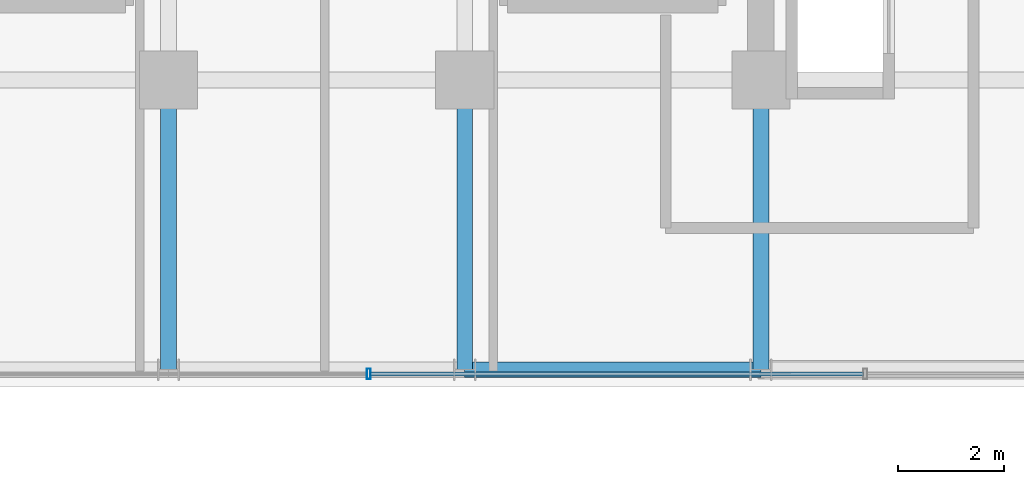
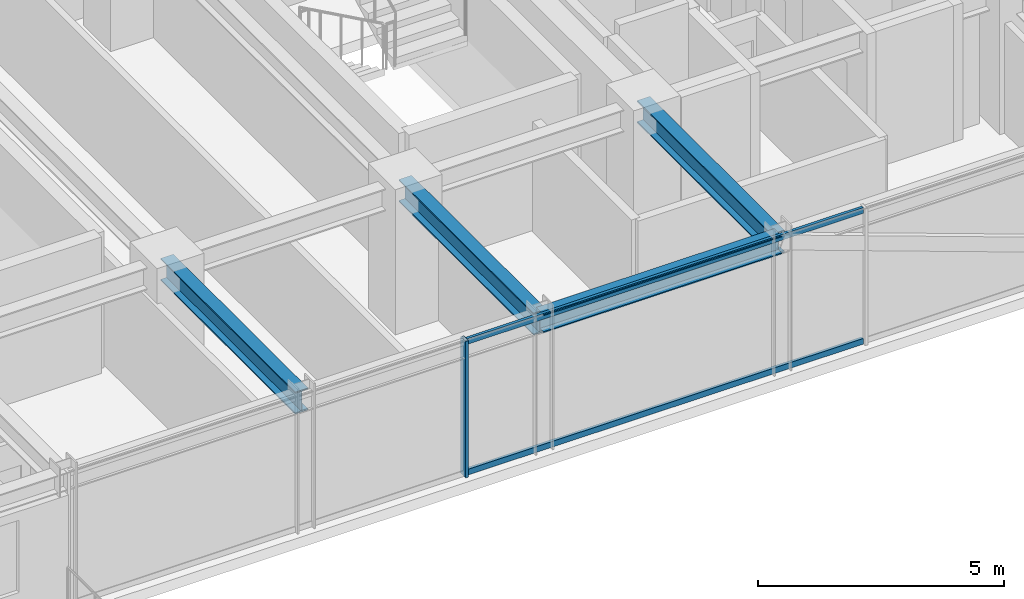
# One storey, part 5 of 38: 4 beams, 3 members, 1 element without a shape of its own.
"""IFC4 building model written with IfcOpenShell, lengths in metres."""

from ifc_helpers import new_model, si_unit, direction, frame, origin, origin_2d, place, context, subcontext, project, spatial, hollow_rectangle, i_section, extrude, source, transform, mapped, material, material_profile, profile_set, type_object, element, aggregate, save


model = new_model("IFC4")

# Units and contexts
model_context = context("Model", 3, precision=1e-05, world=origin(), true_north=direction((0.0, 1.0)))
body_context = subcontext(model_context, "Body", "Model", "MODEL_VIEW")
ifc_project = project(units=[si_unit("LENGTHUNIT", "METRE"), si_unit("AREAUNIT", "SQUARE_METRE"), si_unit("VOLUMEUNIT", "CUBIC_METRE"), si_unit("PLANEANGLEUNIT", "RADIAN"), si_unit("MASSUNIT", "GRAM", prefix="KILO")], contexts=[model_context])

# Site, building, storey
site_placement = place(None, origin())
site = spatial("IfcSite", under=ifc_project, at=site_placement, CompositionType="ELEMENT")
building_placement = place(site_placement, origin())
building = spatial("IfcBuilding", under=site, at=building_placement, Name="Nahalor Promenade Grand Hotel", CompositionType="ELEMENT")
storey_placement = place(building_placement, frame((0.0, 0.0, 178.199951171875)))
storey = spatial("IfcBuildingStorey", under=building, at=storey_placement, Name="L45", CompositionType="ELEMENT", Elevation=178.199951171875)

# Beams
ifc_material_1 = material(Name="Steel S355JR", Category="steel")
ifc_material_profile_1 = material_profile(ifc_material_1, i_section(OverallWidth=0.3, OverallDepth=0.55, WebThickness=0.015, FlangeThickness=0.029, at=origin_2d()), Name="HEB 550")
ifc_profile_set_1 = profile_set([ifc_material_profile_1], Name="Steel S355JR")
beam_type_1 = type_object("IfcBeamType", Name="Beam-Girder-HEB550", PredefinedType="BEAM", material=ifc_profile_set_1)
shared_shape_1 = source(origin(), body_context, "Body", "SweptSolid", [
    extrude(i_section(OverallWidth=0.3, OverallDepth=0.55, WebThickness=0.015, FlangeThickness=0.029, at=origin_2d()), origin(), (0.0, 0.0, 1.0), 5.47998046875),
])
for number, where, z_axis, x_axis, name in (
    (1, (-2.800048828125, -22.47998046875, 3.114990234375), (0.0, 1.0, 0.0), (-1.0, 0.0, 0.0), "BM-L45-GY-2-0"),
    (2, (2.800048828125, -22.47998046875, 3.114990234375), (0.0, 1.0, 0.0), (-1.0, 0.0, 0.0), "BM-L45-GY-3-0"),
    (3, (8.39990234375, -22.47998046875, 3.114990234375), (0.0, 1.0, 0.0), (-1.0, 0.0, 0.0), "BM-L45-GY-4-0"),
):
    element("IfcBeam", number, at=place(storey_placement, frame(where, z_axis=z_axis, x_axis=x_axis)), inside=storey, type_object=beam_type_1, Name=name, PredefinedType="BEAM", context=body_context, shape_type="MappedRepresentation", body=[
        mapped(shared_shape_1, transform((0.0, 0.0, 0.0), scale=1.0)),
    ])
ifc_material_profile_2 = material_profile(ifc_material_1, i_section(OverallWidth=0.3, OverallDepth=0.45, WebThickness=0.014, FlangeThickness=0.026, at=origin_2d()), Name="HEB 450")
ifc_profile_set_2 = profile_set([ifc_material_profile_2], Name="Steel S355JR")
beam_type_2 = type_object("IfcBeamType", Name="Beam-Spandrel-HEB450", PredefinedType="SPANDREL", material=ifc_profile_set_2)
shared_shape_2 = source(origin(), body_context, "Body", "SweptSolid", [
    extrude(i_section(OverallWidth=0.3, OverallDepth=0.45, WebThickness=0.014, FlangeThickness=0.026, at=origin_2d()), origin(), (0.0, 0.0, 1.0), 5.599853515625),
])
beam_placement = place(storey_placement, frame((2.800048828125, -22.47998046875, 3.1650390625), z_axis=(1.0, 0.0, 0.0), x_axis=(0.0, 1.0, 0.0)))
element("IfcBeam", 4, at=beam_placement, inside=storey, type_object=beam_type_2, Name="BM-L45-SP-S-3", PredefinedType="SPANDREL", context=body_context, shape_type="MappedRepresentation", body=[
    mapped(shared_shape_2, transform((0.0, 0.0, 0.0), scale=1.0)),
])

# Curtain wall, members
ifc_material_2 = material(Name="Anodised Bronze Aluminium EN AW-6063 T6", Category="aluminium")
curtain_wall_type = type_object("IfcCurtainWallType", Name="CW3 Elliptical-Void Collar Unitised Curtain Wall", PredefinedType="USERDEFINED", material=ifc_material_2)
curtain_wall_placement = place(storey_placement, origin())
curtain_wall = element("IfcCurtainWall", 5, at=curtain_wall_placement, inside=storey, type_object=curtain_wall_type, Name="L45 Curtain Wall CW-L45-S-3", ObjectType="UNITISED_CURTAIN_WALL", PredefinedType="USERDEFINED")
ifc_material_profile_3 = material_profile(ifc_material_2, hollow_rectangle(XDim=0.07, YDim=0.2, WallThickness=0.005, at=origin_2d()), Name="CWM 70x200x5")
ifc_profile_set_3 = profile_set([ifc_material_profile_3], Name="Anodised Bronze Aluminium EN AW-6063 T6")
member_type_1 = type_object("IfcMemberType", Name="CWM3 Void Collar Mullion 70x200", PredefinedType="MULLION", material=ifc_profile_set_3)
shared_shape_3 = source(origin(), body_context, "Body", "SweptSolid", [
    extrude(hollow_rectangle(XDim=0.07, YDim=0.2, WallThickness=0.005, at=origin_2d()), origin(), (0.0, 0.0, 1.0), 3.39013671875),
])
member_1_placement = place(storey_placement, frame((0.986572265625, -22.56005859375, 0.0), z_axis=(0.0, 0.0, 1.0), x_axis=(1.0, 0.0, 0.0)))
member_1 = element("IfcMember", 6, at=member_1_placement, type_object=member_type_1, Name="CW-L45-S-3 Mullion 1", PredefinedType="MULLION", context=body_context, shape_type="MappedRepresentation", body=[
    mapped(shared_shape_3, transform((0.0, 0.0, 0.0), scale=1.0)),
])
ifc_material_profile_4 = material_profile(ifc_material_2, hollow_rectangle(XDim=0.07, YDim=0.14, WallThickness=0.004, at=origin_2d()), Name="CWT 70x140x4")
ifc_profile_set_4 = profile_set([ifc_material_profile_4], Name="Anodised Bronze Aluminium EN AW-6063 T6")
member_type_2 = type_object("IfcMemberType", Name="CWT3 Void Collar Transom 70x140", PredefinedType="USERDEFINED", material=ifc_profile_set_4)
shared_shape_4 = source(origin(), body_context, "Body", "SweptSolid", [
    extrude(hollow_rectangle(XDim=0.07, YDim=0.14, WallThickness=0.004, at=origin_2d()), origin(), (0.0, 0.0, 1.0), 9.316650390625),
])
member_2_placement = place(storey_placement, frame((1.021728515625, -22.56005859375, 0.070068359375), z_axis=(1.0, 0.0, 0.0), x_axis=(0.0, 1.0, 0.0)))
member_2 = element("IfcMember", 7, at=member_2_placement, type_object=member_type_2, Name="CW-L45-S-3 Transom 1-0", ObjectType="TRANSOM", PredefinedType="USERDEFINED", context=body_context, shape_type="MappedRepresentation", body=[
    mapped(shared_shape_4, transform((0.0, 0.0, 0.0), scale=1.0)),
])
member_3_placement = place(storey_placement, frame((1.021728515625, -22.56005859375, 3.320068359375), z_axis=(1.0, 0.0, 0.0), x_axis=(0.0, 1.0, 0.0)))
member_3 = element("IfcMember", 8, at=member_3_placement, type_object=member_type_2, Name="CW-L45-S-3 Transom 1-1", ObjectType="TRANSOM", PredefinedType="USERDEFINED", context=body_context, shape_type="MappedRepresentation", body=[
    mapped(shared_shape_4, transform((0.0, 0.0, 0.0), scale=1.0)),
])
aggregate(curtain_wall, [member_1, member_2, member_3])

save(model, "model.ifc")
